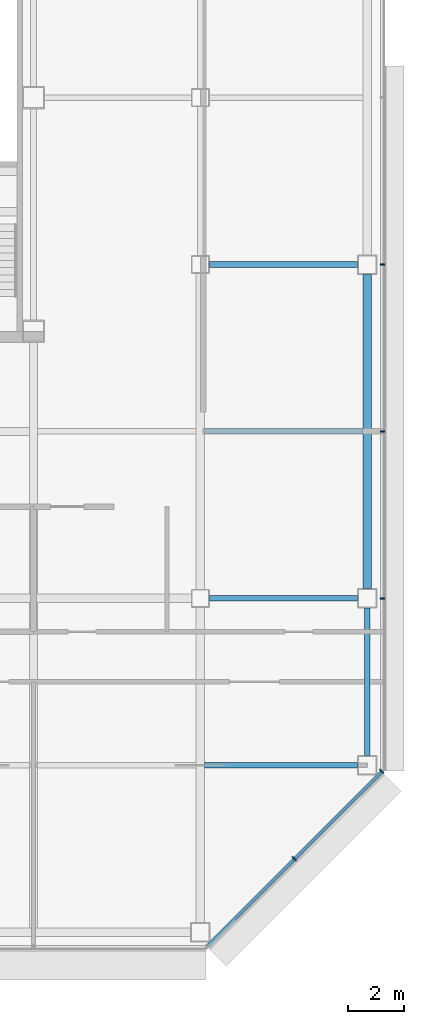
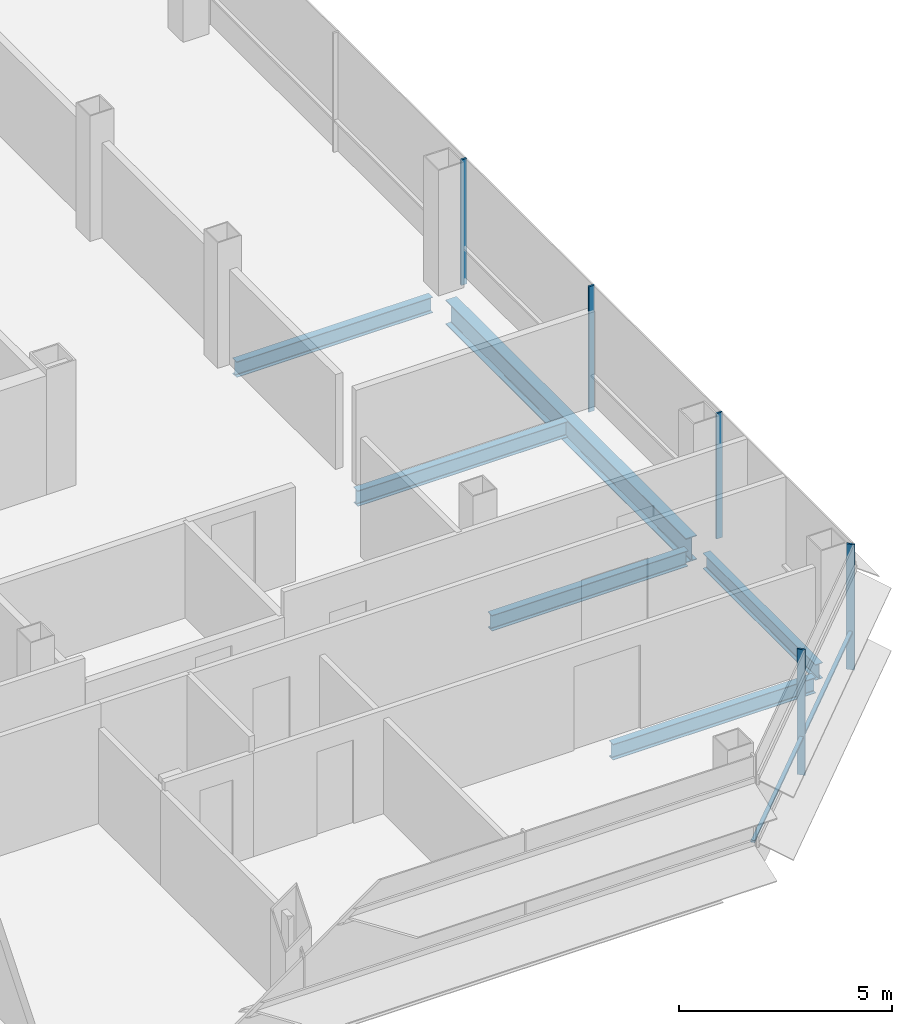
# One storey, part 16 of 27: 6 beams, 6 members, 2 elements without a shape of their own.
"""IFC4 building model written with IfcOpenShell, lengths in metres."""

from ifc_helpers import new_model, si_unit, direction, frame, origin, origin_2d, place, context, subcontext, project, spatial, rectangle, i_section, extrude, material, material_profile, profile_set, type_object, element, aggregate, save


model = new_model("IFC4")

# Units and contexts
model_context = context("Model", 3, precision=1e-05, world=origin(), true_north=direction((0.0, 1.0)))
body_context = subcontext(model_context, "Body", "Model", "MODEL_VIEW")
ifc_project = project(units=[si_unit("LENGTHUNIT", "METRE"), si_unit("AREAUNIT", "SQUARE_METRE"), si_unit("VOLUMEUNIT", "CUBIC_METRE"), si_unit("PLANEANGLEUNIT", "RADIAN"), si_unit("MASSUNIT", "GRAM", prefix="KILO")], contexts=[model_context])

# Site, building, storey
site_placement = place(None, origin())
site = spatial("IfcSite", under=ifc_project, at=site_placement, CompositionType="ELEMENT")
building_placement = place(site_placement, origin())
building = spatial("IfcBuilding", under=site, at=building_placement, Name="Sorahane Residences", CompositionType="ELEMENT")
storey_placement = place(building_placement, frame((0.0, 0.0, 195.60009765625)))
storey = spatial("IfcBuildingStorey", under=building, at=storey_placement, Name="L45", CompositionType="ELEMENT", Elevation=195.60009765625)

# Curtain wall, members
ifc_material_1 = material(Name="Dark low-e glass and black anodised aluminium", Category="aluminium")
curtain_wall_type_1 = type_object("IfcCurtainWallType", Name="Curtain wall CW-1 Typical unitised wall", PredefinedType="NOTDEFINED", material=ifc_material_1)
curtain_wall_1_placement = place(storey_placement, origin())
curtain_wall_1 = element("IfcCurtainWall", 1, at=curtain_wall_1_placement, inside=storey, type_object=curtain_wall_type_1, Name="CW-1 curtain wall L45 E1", PredefinedType="NOTDEFINED")
ifc_material_2 = material(Name="Black anodised aluminium", Category="aluminium")
ifc_material_profile_1 = material_profile(ifc_material_2, rectangle(XDim=0.159912109375, YDim=0.050048828125, at=origin_2d()), Name="Curtain wall mullion CW-1 black anodised aluminium 50x160")
ifc_profile_set_1 = profile_set([ifc_material_profile_1], Name="Black anodised aluminium")
member_type_1 = type_object("IfcMemberType", Name="Curtain wall mullion CW-1 black anodised aluminium 50x160", PredefinedType="MULLION", material=ifc_profile_set_1)
member_1_placement = place(storey_placement, frame((54.5400390625, 12.0, -0.18017578125), z_axis=(0.0, 0.0, 1.0), x_axis=(1.0, 0.0, 0.0)))
member_1 = element("IfcMember", 2, at=member_1_placement, type_object=member_type_1, Name="CW-1 mullion L45 E1.2", PredefinedType="MULLION", context=body_context, shape_type="SweptSolid", body=[
    extrude(rectangle(XDim=0.159912109375, YDim=0.050048828125, at=origin_2d()), origin(), (0.0, 0.0, 1.0), 3.60009765625),
])
member_2_placement = place(storey_placement, frame((54.5400390625, 18.0, -0.18017578125), z_axis=(0.0, 0.0, 1.0), x_axis=(1.0, 0.0, 0.0)))
member_2 = element("IfcMember", 3, at=member_2_placement, type_object=member_type_1, Name="CW-1 mullion L45 E1.3", PredefinedType="MULLION", context=body_context, shape_type="SweptSolid", body=[
    extrude(rectangle(XDim=0.159912109375, YDim=0.050048828125, at=origin_2d()), origin(), (0.0, 0.0, 1.0), 3.60009765625),
])
member_3_placement = place(storey_placement, frame((54.5400390625, 24.0, -0.18017578125), z_axis=(0.0, 0.0, 1.0), x_axis=(1.0, 0.0, 0.0)))
member_3 = element("IfcMember", 4, at=member_3_placement, type_object=member_type_1, Name="CW-1 mullion L45 E1.4", PredefinedType="MULLION", context=body_context, shape_type="SweptSolid", body=[
    extrude(rectangle(XDim=0.159912109375, YDim=0.050048828125, at=origin_2d()), origin(), (0.0, 0.0, 1.0), 3.60009765625),
])
aggregate(curtain_wall_1, [member_1, member_2, member_3])

ifc_material_3 = material(Name="Dark low-e glass and black anodised aluminium", Category="aluminium")
curtain_wall_type_2 = type_object("IfcCurtainWallType", Name="Curtain wall CW-2 Chamfer unitised wall", PredefinedType="NOTDEFINED", material=ifc_material_3)
curtain_wall_2_placement = place(storey_placement, origin())
curtain_wall_2 = element("IfcCurtainWall", 5, at=curtain_wall_2_placement, inside=storey, type_object=curtain_wall_type_2, Name="CW-2 curtain wall L45 SE1", PredefinedType="NOTDEFINED")
ifc_material_4 = material(Name="Black anodised aluminium", Category="aluminium")
ifc_material_profile_2 = material_profile(ifc_material_4, rectangle(XDim=0.199951171875, YDim=0.050048828125, at=origin_2d()), Name="Curtain wall mullion CW-2 black anodised aluminium 50x200")
ifc_profile_set_2 = profile_set([ifc_material_profile_2], Name="Black anodised aluminium")
member_type_2 = type_object("IfcMemberType", Name="Curtain wall mullion CW-2 black anodised aluminium 50x200", PredefinedType="MULLION", material=ifc_profile_set_2)
member_4_placement = place(storey_placement, frame((51.36767578125, 2.63232421875, -0.18017578125), z_axis=(0.0, 0.0, 1.0), x_axis=(0.707106781187, -0.707106781187, 0.0)))
member_4 = element("IfcMember", 6, at=member_4_placement, type_object=member_type_2, Name="CW-2 mullion L45 SE1.2", PredefinedType="MULLION", context=body_context, shape_type="SweptSolid", body=[
    extrude(rectangle(XDim=0.199951171875, YDim=0.050048828125, at=origin_2d()), origin(), (0.0, 0.0, 1.0), 3.60009765625),
])
member_5_placement = place(storey_placement, frame((54.525634765625, 5.790283203125, -0.18017578125), z_axis=(0.0, 0.0, 1.0), x_axis=(0.707106781187, -0.707106781187, 0.0)))
member_5 = element("IfcMember", 7, at=member_5_placement, type_object=member_type_2, Name="CW-2 mullion L45 SE1.3", PredefinedType="MULLION", context=body_context, shape_type="SweptSolid", body=[
    extrude(rectangle(XDim=0.199951171875, YDim=0.050048828125, at=origin_2d()), origin(), (0.0, 0.0, 1.0), 3.60009765625),
])
ifc_material_5 = material(Name="Black anodised aluminium", Category="aluminium")
ifc_material_profile_3 = material_profile(ifc_material_5, rectangle(XDim=0.10009765625, YDim=0.06005859375, at=origin_2d()), Name="Curtain wall transom CW-2 black anodised aluminium 60x100")
ifc_profile_set_3 = profile_set([ifc_material_profile_3], Name="Black anodised aluminium")
member_type_3 = type_object("IfcMemberType", Name="Curtain wall transom CW-2 black anodised aluminium 60x100", PredefinedType="USERDEFINED", material=ifc_profile_set_3)
member_6_placement = place(storey_placement, frame((48.234375, -0.51513671875, 0.89990234375), z_axis=(0.707106781187, 0.707106781187, 0.0), x_axis=(-0.707106781187, 0.707106781187, 0.0)))
member_6 = element("IfcMember", 8, at=member_6_placement, type_object=member_type_3, Name="CW-2 transom L45 SE1", ObjectType="TRANSOM", PredefinedType="USERDEFINED", context=body_context, shape_type="SweptSolid", body=[
    extrude(rectangle(XDim=0.10009765625, YDim=0.06005859375, at=origin_2d()), origin(), (0.0, 0.0, 1.0), 8.88232421875),
])
aggregate(curtain_wall_2, [member_4, member_5, member_6])

# Beams
ifc_material_6 = material(Name="Steel Q355B", Category="steel")
ifc_material_profile_4 = material_profile(ifc_material_6, i_section(OverallWidth=0.199951171875, OverallDepth=0.449951171875, WebThickness=0.009033203125, FlangeThickness=0.013916015625, FilletRadius=0.02001953125, at=origin_2d()), Name="HN 450x200x9x14")
ifc_profile_set_4 = profile_set([ifc_material_profile_4], Name="Steel Q355B")
beam_type_1 = type_object("IfcBeamType", Name="Steel floor beam HN 450x200x9x14 Q355B", PredefinedType="BEAM", material=ifc_profile_set_4)
for number, where, z_axis, x_axis, name in (
    (9, (48.324951171875, 12.0, -0.405029296875), (1.0, 0.0, 0.0), (0.0, 1.0, 0.0), "Beam L45 010"),
    (10, (48.324951171875, 24.0, -0.405029296875), (1.0, 0.0, 0.0), (0.0, 1.0, 0.0), "Beam L45 012"),
):
    element("IfcBeam", number, at=place(storey_placement, frame(where, z_axis=z_axis, x_axis=x_axis)), inside=storey, type_object=beam_type_1, Name=name, PredefinedType="BEAM", context=body_context, shape_type="SweptSolid", body=[
        extrude(i_section(OverallWidth=0.199951171875, OverallDepth=0.449951171875, WebThickness=0.009033203125, FlangeThickness=0.013916015625, FilletRadius=0.02001953125, at=origin_2d()), origin(), (0.0, 0.0, 1.0), 5.324951171875),
    ])
beam_1_placement = place(storey_placement, frame((54.0, 6.35009765625, -0.405029296875), z_axis=(0.0, 1.0, 0.0), x_axis=(-1.0, 0.0, 0.0)))
element("IfcBeam", 11, at=beam_1_placement, inside=storey, type_object=beam_type_1, Name="Beam L45 064", PredefinedType="BEAM", context=body_context, shape_type="SweptSolid", body=[
    extrude(i_section(OverallWidth=0.199951171875, OverallDepth=0.449951171875, WebThickness=0.009033203125, FlangeThickness=0.013916015625, FilletRadius=0.02001953125, at=origin_2d()), origin(), (0.0, 0.0, 1.0), 5.2998046875),
])
beam_2_placement = place(storey_placement, frame((48.14990234375, 6.0, -0.405029296875), z_axis=(1.0, 0.0, 0.0), x_axis=(0.0, 1.0, 0.0)))
element("IfcBeam", 12, at=beam_2_placement, inside=storey, type_object=beam_type_1, Name="Beam L45 077", PredefinedType="BEAM", context=body_context, shape_type="SweptSolid", body=[
    extrude(i_section(OverallWidth=0.199951171875, OverallDepth=0.449951171875, WebThickness=0.009033203125, FlangeThickness=0.013916015625, FilletRadius=0.02001953125, at=origin_2d()), origin(), (0.0, 0.0, 1.0), 5.5),
])
beam_3_placement = place(storey_placement, frame((48.14990234375, 18.0, -0.405029296875), z_axis=(1.0, 0.0, 0.0), x_axis=(0.0, 1.0, 0.0)))
element("IfcBeam", 13, at=beam_3_placement, inside=storey, type_object=beam_type_1, Name="Beam L45 084", PredefinedType="BEAM", context=body_context, shape_type="SweptSolid", body=[
    extrude(i_section(OverallWidth=0.199951171875, OverallDepth=0.449951171875, WebThickness=0.009033203125, FlangeThickness=0.013916015625, FilletRadius=0.02001953125, at=origin_2d()), origin(), (0.0, 0.0, 1.0), 5.7001953125),
])
ifc_material_7 = material(Name="Steel Q355B", Category="steel")
ifc_material_profile_5 = material_profile(ifc_material_7, i_section(OverallWidth=0.300048828125, OverallDepth=0.699951171875, WebThickness=0.012939453125, FlangeThickness=0.02392578125, FilletRadius=0.028076171875, at=origin_2d()), Name="HN 700x300x13x24")
ifc_profile_set_5 = profile_set([ifc_material_profile_5], Name="Steel Q355B")
beam_type_2 = type_object("IfcBeamType", Name="Steel floor beam HN 700x300x13x24 Q355B", PredefinedType="BEAM", material=ifc_profile_set_5)
beam_4_placement = place(storey_placement, frame((54.0, 12.35009765625, -0.530029296875), z_axis=(0.0, 1.0, 0.0), x_axis=(-1.0, 0.0, 0.0)))
element("IfcBeam", 14, at=beam_4_placement, inside=storey, type_object=beam_type_2, Name="Beam L45 065", PredefinedType="BEAM", context=body_context, shape_type="SweptSolid", body=[
    extrude(i_section(OverallWidth=0.300048828125, OverallDepth=0.699951171875, WebThickness=0.012939453125, FlangeThickness=0.02392578125, FilletRadius=0.028076171875, at=origin_2d()), origin(), (0.0, 0.0, 1.0), 11.2998046875),
])

save(model, "model.ifc")
